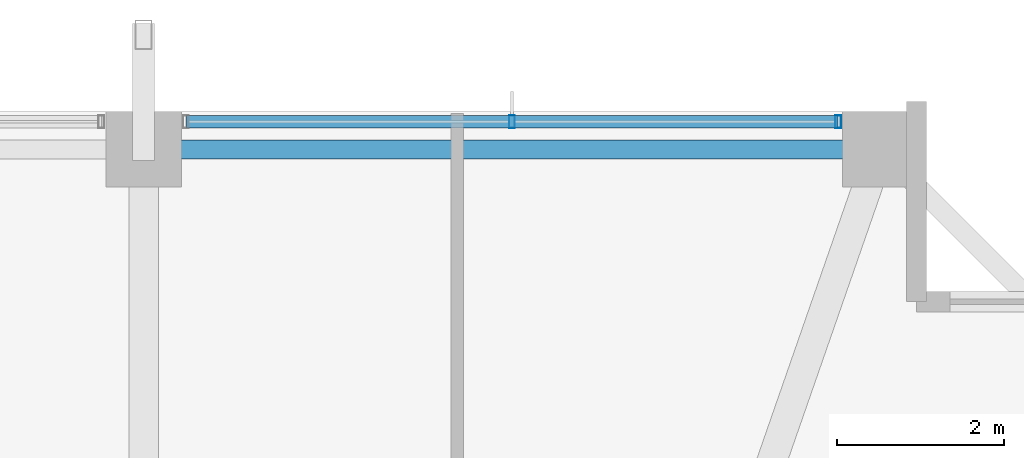
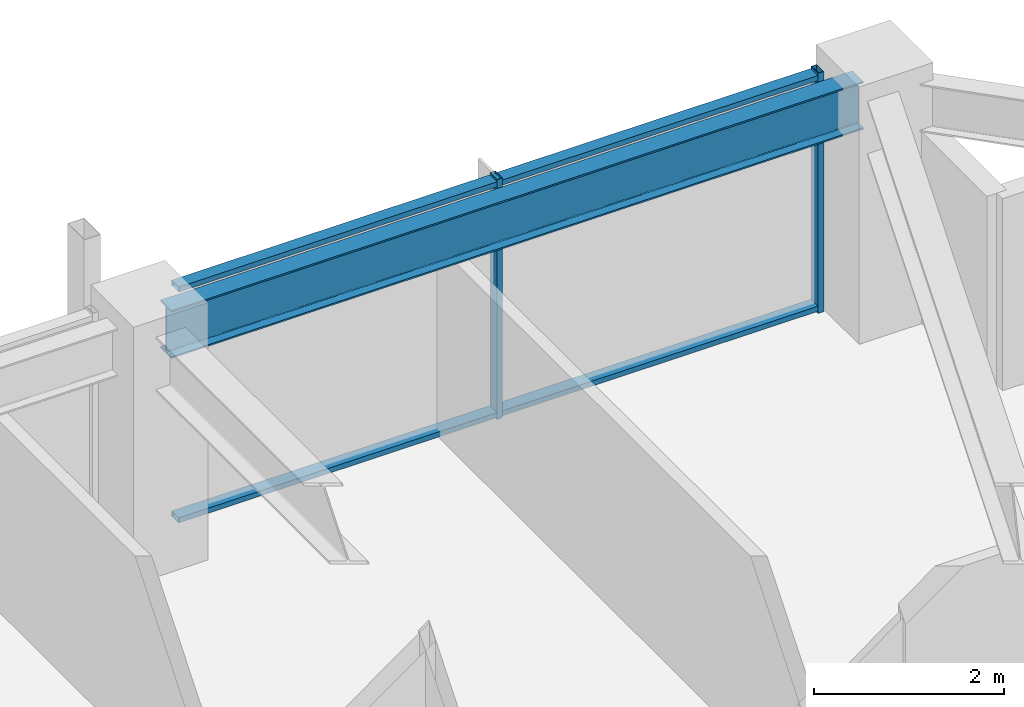
# One storey, part 21 of 35: 4 members, 1 beam, 1 element without a shape of its own.
"""IFC4 building model written with IfcOpenShell, lengths in metres."""

from ifc_helpers import new_model, si_unit, direction, frame, origin, origin_2d, place, context, subcontext, project, spatial, hollow_rectangle, i_section, extrude, material, material_profile, profile_set, type_object, element, aggregate, save


model = new_model("IFC4")

# Units and contexts
model_context = context("Model", 3, precision=1e-05, world=origin(), true_north=direction((0.0, 1.0)))
body_context = subcontext(model_context, "Body", "Model", "MODEL_VIEW")
ifc_project = project(units=[si_unit("LENGTHUNIT", "METRE"), si_unit("AREAUNIT", "SQUARE_METRE"), si_unit("VOLUMEUNIT", "CUBIC_METRE"), si_unit("PLANEANGLEUNIT", "RADIAN"), si_unit("MASSUNIT", "GRAM", prefix="KILO")], contexts=[model_context])

# Site, building, storey
site_placement = place(None, origin())
site = spatial("IfcSite", under=ifc_project, at=site_placement, CompositionType="ELEMENT")
building_placement = place(site_placement, origin())
building = spatial("IfcBuilding", under=site, at=building_placement, Name="Kolvaren Belvedere", CompositionType="ELEMENT")
storey_placement = place(building_placement, frame((0.0, 0.0, 176.699951171875)))
storey = spatial("IfcBuildingStorey", under=building, at=storey_placement, Name="L51", CompositionType="ELEMENT", Elevation=176.699951171875)

# Beam
ifc_material_1 = material(Name="Structural steel ASTM A992 Grade 50", Category="steel")
ifc_material_profile_1 = material_profile(ifc_material_1, i_section(OverallWidth=0.22900390625, OverallDepth=0.612060546875, WebThickness=0.011962890625, FlangeThickness=0.01953125, FilletRadius=0.01806640625, at=origin_2d()), Name="W24X84")
ifc_profile_set_1 = profile_set([ifc_material_profile_1], Name="Structural steel ASTM A992 Grade 50")
beam_type = type_object("IfcBeamType", Name="BM-SPAN-W24X84", PredefinedType="SPANDREL", material=ifc_profile_set_1)
beam_placement = place(storey_placement, frame((13.197509765625, 19.949951171875, 2.774169921875), z_axis=(-1.0, 0.0, 0.0), x_axis=(0.0, -1.0, 0.0)))
element("IfcBeam", 1, at=beam_placement, inside=storey, type_object=beam_type, Name="L51 Perimeter Spandrel N4-N3", PredefinedType="SPANDREL", context=body_context, shape_type="SweptSolid", body=[
    extrude(i_section(OverallWidth=0.22900390625, OverallDepth=0.612060546875, WebThickness=0.011962890625, FlangeThickness=0.01953125, FilletRadius=0.01806640625, at=origin_2d()), origin(), (0.0, 0.0, 1.0), 8.39501953125),
])

# Curtain wall, members
ifc_material_2 = material(Name="Anodised pale-metal aluminium AA 6063-T6", Category="aluminium")
curtain_wall_type = type_object("IfcCurtainWallType", Name="CW-Z5-HIGH", PredefinedType="NOTDEFINED", material=ifc_material_2)
curtain_wall_placement = place(storey_placement, origin())
curtain_wall = element("IfcCurtainWall", 2, at=curtain_wall_placement, inside=storey, type_object=curtain_wall_type, Name="L51 Unitised Curtain Wall FCW-L51-N-B3", PredefinedType="NOTDEFINED")
ifc_material_3 = material(Name="Anodised pale-metal aluminium AA 6063-T6", Category="aluminium")
ifc_material_profile_2 = material_profile(ifc_material_3, hollow_rectangle(XDim=0.070068359375, YDim=0.14990234375, WallThickness=0.004150390625, at=origin_2d()), Name="ALU-MUL-150X70")
ifc_profile_set_2 = profile_set([ifc_material_profile_2], Name="Anodised pale-metal aluminium AA 6063-T6")
member_type_1 = type_object("IfcMemberType", Name="CW-MUL-150", PredefinedType="MULLION", material=ifc_profile_set_2)
member_1_placement = place(storey_placement, frame((9.0, 20.280029296875, 0.0), z_axis=(0.0, 0.0, 1.0), x_axis=(1.0, 0.0, 0.0)))
member_1 = element("IfcMember", 3, at=member_1_placement, type_object=member_type_1, Name="FCW-L51-N-B3 Unitised Mullion 2", PredefinedType="MULLION", context=body_context, shape_type="SweptSolid", body=[
    extrude(hollow_rectangle(XDim=0.070068359375, YDim=0.14990234375, WallThickness=0.004150390625, at=origin_2d()), origin(), (0.0, 0.0, 1.0), 3.080078125),
])
member_2_placement = place(storey_placement, frame((12.89501953125, 20.280029296875, 0.0), z_axis=(0.0, 0.0, 1.0), x_axis=(1.0, 0.0, 0.0)))
member_2 = element("IfcMember", 4, at=member_2_placement, type_object=member_type_1, Name="FCW-L51-N-B3 Unitised Mullion 3", PredefinedType="MULLION", context=body_context, shape_type="SweptSolid", body=[
    extrude(hollow_rectangle(XDim=0.070068359375, YDim=0.14990234375, WallThickness=0.004150390625, at=origin_2d()), origin(), (0.0, 0.0, 1.0), 3.080078125),
])
ifc_material_4 = material(Name="Anodised pale-metal aluminium AA 6063-T6", Category="aluminium")
ifc_material_profile_3 = material_profile(ifc_material_4, hollow_rectangle(XDim=0.06494140625, YDim=0.14990234375, WallThickness=0.00390625, at=origin_2d()), Name="ALU-TRN-150X65")
ifc_profile_set_3 = profile_set([ifc_material_profile_3], Name="Anodised pale-metal aluminium AA 6063-T6")
member_type_2 = type_object("IfcMemberType", Name="CW-TRN-150", PredefinedType="USERDEFINED", material=ifc_profile_set_3)
member_3_placement = place(storey_placement, frame((5.10498046875, 20.280029296875, 0.06005859375), z_axis=(1.0, 0.0, 0.0), x_axis=(0.0, 0.0, 1.0)))
member_3 = element("IfcMember", 5, at=member_3_placement, type_object=member_type_2, Name="FCW-L51-N-B3 Sill Transom", ObjectType="TRANSOM", PredefinedType="USERDEFINED", context=body_context, shape_type="SweptSolid", body=[
    extrude(hollow_rectangle(XDim=0.06494140625, YDim=0.14990234375, WallThickness=0.00390625, at=origin_2d()), origin(), (0.0, 0.0, 1.0), 7.7900390625),
])
member_4_placement = place(storey_placement, frame((5.10498046875, 20.280029296875, 3.02001953125), z_axis=(1.0, 0.0, 0.0), x_axis=(0.0, 0.0, 1.0)))
member_4 = element("IfcMember", 6, at=member_4_placement, type_object=member_type_2, Name="FCW-L51-N-B3 Head Transom", ObjectType="TRANSOM", PredefinedType="USERDEFINED", context=body_context, shape_type="SweptSolid", body=[
    extrude(hollow_rectangle(XDim=0.06494140625, YDim=0.14990234375, WallThickness=0.00390625, at=origin_2d()), origin(), (0.0, 0.0, 1.0), 7.7900390625),
])
aggregate(curtain_wall, [member_1, member_2, member_3, member_4])

save(model, "model.ifc")
